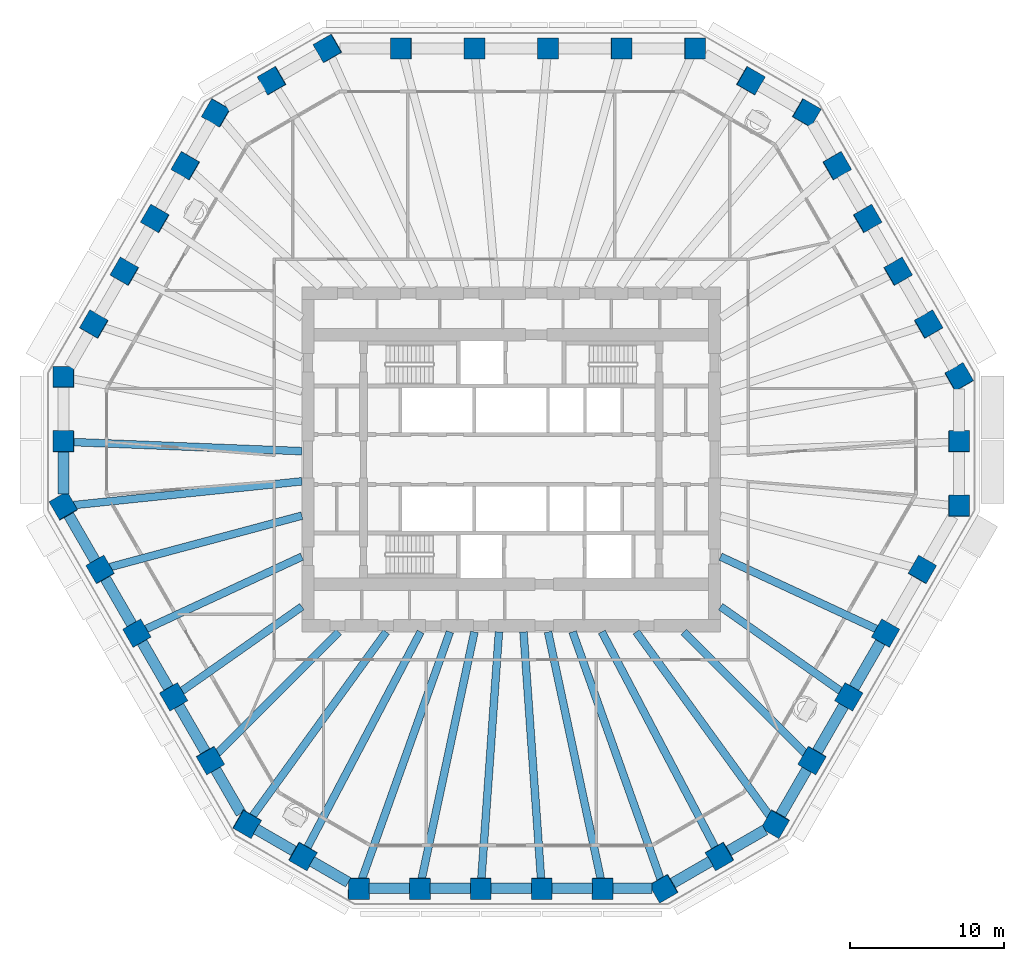
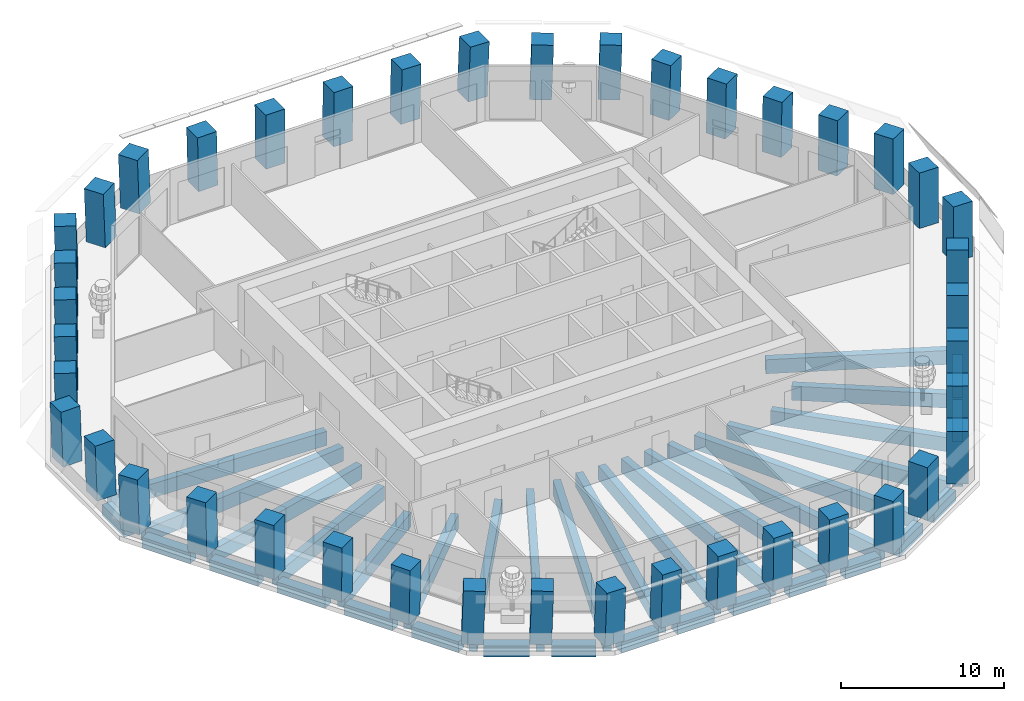
# One storey, part 1 of 13: 42 columns, 37 beams.
"""IFC4 building model written with IfcOpenShell, lengths in metres."""

from ifc_helpers import new_model, si_unit, direction, frame, origin, origin_2d, place, context, subcontext, project, spatial, rectangle, extrude, material, material_profile, profile_set, type_object, element, save


model = new_model("IFC4")

# Units and contexts
model_context = context("Model", 3, precision=1e-05, world=origin(), true_north=direction((0.0, 1.0)))
body_context = subcontext(model_context, "Body", "Model", "MODEL_VIEW")
ifc_project = project(units=[si_unit("LENGTHUNIT", "METRE"), si_unit("AREAUNIT", "SQUARE_METRE"), si_unit("VOLUMEUNIT", "CUBIC_METRE"), si_unit("PLANEANGLEUNIT", "RADIAN"), si_unit("MASSUNIT", "GRAM", prefix="KILO")], contexts=[model_context])

# Site, building, storey
site_placement = place(None, origin())
site = spatial("IfcSite", under=ifc_project, at=site_placement, CompositionType="ELEMENT")
building_placement = place(site_placement, origin())
building = spatial("IfcBuilding", under=site, at=building_placement, Name="Frailejon Research Tower", CompositionType="ELEMENT")
storey_placement = place(building_placement, frame((0.0, 0.0, 117.60009765625)))
storey = spatial("IfcBuildingStorey", under=building, at=storey_placement, Name="L25", CompositionType="ELEMENT", Elevation=117.60009765625)

# Columns
ifc_material_1 = material(Name="Concrete C70/85", Category="concrete")
ifc_material_profile_1 = material_profile(ifc_material_1, rectangle(XDim=1.35009765625, YDim=1.35009765625, at=origin_2d()), Name="Column 1350")
ifc_profile_set_1 = profile_set([ifc_material_profile_1], Name="Concrete C70/85")
column_type = type_object("IfcColumnType", Name="Column 1350", PredefinedType="COLUMN", material=ifc_profile_set_1)
for number, where, z_axis, x_axis, name in (
    (1, (29.08056640625, -3.031005859375, 0.0), (0.018133721723, 0.031387604711, 0.999342777233), (-2.2310109e-05, 0.999507138094, -0.031392362166), "Column C01"),
    (2, (29.08056640625, 1.156494140625, 0.0), (0.018133721723, 0.031387604711, 0.999342777233), (-2.2310109e-05, 0.999507138094, -0.031392362166), "Column C02"),
    (3, (29.08056640625, 5.343994140625, 0.0), (0.018133721723, 0.031387604711, 0.999342777233), (-0.50020910326, 0.865715159182, -0.018113977445), "Column C03"),
):
    element("IfcColumn", number, at=place(storey_placement, frame(where, z_axis=z_axis, x_axis=x_axis)), inside=storey, type_object=column_type, Name=name, PredefinedType="COLUMN", context=body_context, shape_type="SweptSolid", body=[
        extrude(rectangle(XDim=1.35009765625, YDim=1.35009765625, at=origin_2d()), origin(), (0.0, 0.0, 1.0), 4.052490234375),
    ])
column_1_placement = place(storey_placement, frame((27.09814453125, 8.777587890625, 0.0), z_axis=(0.021750699922, 0.025124769716, 0.999447673968), x_axis=(-0.500502376835, 0.865666925982, -0.010869408614)))
element("IfcColumn", 4, at=column_1_placement, inside=storey, type_object=column_type, Name="Column C04", PredefinedType="COLUMN", context=body_context, shape_type="SweptSolid", body=[
    extrude(rectangle(XDim=1.35009765625, YDim=1.35009765625, at=origin_2d()), origin(), (0.0, 0.0, 1.0), 4.052001953125),
])
for number, where, z_axis, x_axis, name in (
    (5, (25.115478515625, 12.21142578125, 0.0), (0.025427325519, 0.018859603999, 0.999498757605), (-0.499709920211, 0.866185204366, -0.003631443371), "Column C05"),
    (6, (23.13330078125, 15.64501953125, 0.0), (0.028982383936, 0.01259317722, 0.99950059195), (-0.500965863044, 0.865459464324, 0.003622109482), "Column C06"),
):
    element("IfcColumn", number, at=place(storey_placement, frame(where, z_axis=z_axis, x_axis=x_axis)), inside=storey, type_object=column_type, Name=name, PredefinedType="COLUMN", context=body_context, shape_type="SweptSolid", body=[
        extrude(rectangle(XDim=1.35009765625, YDim=1.35009765625, at=origin_2d()), origin(), (0.0, 0.0, 1.0), 4.0517578125),
    ])
column_2_placement = place(storey_placement, frame((21.15087890625, 19.078857421875, 0.0), z_axis=(0.032656153574, 0.006266125409, 0.99944700275), x_axis=(-0.499519802521, 0.866234012369, 0.010890486839)))
element("IfcColumn", 7, at=column_2_placement, inside=storey, type_object=column_type, Name="Column C07", PredefinedType="COLUMN", context=body_context, shape_type="SweptSolid", body=[
    extrude(rectangle(XDim=1.35009765625, YDim=1.35009765625, at=origin_2d()), origin(), (0.0, 0.0, 1.0), 4.052001953125),
])
for number, where, z_axis, x_axis, name in (
    (8, (19.168212890625, 22.512451171875, 0.0), (0.036267419622, 0.0, 0.999342120734), (-0.865313477853, 0.500246354177, 0.031403346616), "Column C08"),
    (9, (15.541748046875, 24.606201171875, 0.0), (0.036267419622, 0.0, 0.999342120734), (-0.865313477853, 0.500246354177, 0.031403346616), "Column C09"),
    (10, (11.915283203125, 26.699951171875, 0.0), (0.036267419622, 0.0, 0.999342120734), (-0.999342120734, 0.0, 0.036267419622), "Column C10"),
):
    element("IfcColumn", number, at=place(storey_placement, frame(where, z_axis=z_axis, x_axis=x_axis)), inside=storey, type_object=column_type, Name=name, PredefinedType="COLUMN", context=body_context, shape_type="SweptSolid", body=[
        extrude(rectangle(XDim=1.35009765625, YDim=1.35009765625, at=origin_2d()), origin(), (0.0, 0.0, 1.0), 4.052490234375),
    ])
column_3_placement = place(storey_placement, frame((7.149169921875, 26.699951171875, 0.0), z_axis=(0.021757568282, 0.0, 0.999763276092), x_axis=(-0.999763276092, 0.0, 0.021757568282)))
element("IfcColumn", 11, at=column_3_placement, inside=storey, type_object=column_type, Name="Column C11", PredefinedType="COLUMN", context=body_context, shape_type="SweptSolid", body=[
    extrude(rectangle(XDim=1.35009765625, YDim=1.35009765625, at=origin_2d()), origin(), (0.0, 0.0, 1.0), 4.05078125),
])
for number, where, z_axis, x_axis, name in (
    (12, (2.383056640625, 26.699951171875, 0.0), (0.007294235652, 0.0, 0.999973396709), (-0.999973396709, 0.0, 0.007294235652), "Column C12"),
    (13, (-2.383056640625, 26.699951171875, 0.0), (-0.007294235652, 0.0, 0.999973396709), (-0.999973396709, 0.0, -0.007294235652), "Column C13"),
):
    element("IfcColumn", number, at=place(storey_placement, frame(where, z_axis=z_axis, x_axis=x_axis)), inside=storey, type_object=column_type, Name=name, PredefinedType="COLUMN", context=body_context, shape_type="SweptSolid", body=[
        extrude(rectangle(XDim=1.35009765625, YDim=1.35009765625, at=origin_2d()), origin(), (0.0, 0.0, 1.0), 4.0498046875),
    ])
column_4_placement = place(storey_placement, frame((-7.149169921875, 26.699951171875, 0.0), z_axis=(-0.021757568282, 0.0, 0.999763276092), x_axis=(-0.999763276092, 0.0, -0.021757568282)))
element("IfcColumn", 14, at=column_4_placement, inside=storey, type_object=column_type, Name="Column C14", PredefinedType="COLUMN", context=body_context, shape_type="SweptSolid", body=[
    extrude(rectangle(XDim=1.35009765625, YDim=1.35009765625, at=origin_2d()), origin(), (0.0, 0.0, 1.0), 4.05078125),
])
for number, where, z_axis, x_axis, name in (
    (15, (-11.915283203125, 26.699951171875, 0.0), (-0.036267419622, 0.0, 0.999342120734), (-0.865313477853, -0.500246354177, -0.031403346616), "Column C15"),
    (16, (-15.541748046875, 24.606201171875, 0.0), (-0.036267419622, 0.0, 0.999342120734), (-0.865313477853, -0.500246354177, -0.031403346616), "Column C16"),
    (17, (-19.168212890625, 22.512451171875, 0.0), (-0.036267419622, 0.0, 0.999342120734), (-0.499424827821, -0.866167613071, -0.018124773713), "Column C17"),
):
    element("IfcColumn", number, at=place(storey_placement, frame(where, z_axis=z_axis, x_axis=x_axis)), inside=storey, type_object=column_type, Name=name, PredefinedType="COLUMN", context=body_context, shape_type="SweptSolid", body=[
        extrude(rectangle(XDim=1.35009765625, YDim=1.35009765625, at=origin_2d()), origin(), (0.0, 0.0, 1.0), 4.052490234375),
    ])
column_5_placement = place(storey_placement, frame((-21.15087890625, 19.078857421875, 0.0), z_axis=(-0.032656153574, 0.006266125409, 0.99944700275), x_axis=(-0.499519802521, -0.866234012369, -0.010890486839)))
element("IfcColumn", 18, at=column_5_placement, inside=storey, type_object=column_type, Name="Column C18", PredefinedType="COLUMN", context=body_context, shape_type="SweptSolid", body=[
    extrude(rectangle(XDim=1.35009765625, YDim=1.35009765625, at=origin_2d()), origin(), (0.0, 0.0, 1.0), 4.052001953125),
])
for number, where, z_axis, x_axis, name in (
    (19, (-23.13330078125, 15.64501953125, 0.0), (-0.028982383936, 0.01259317722, 0.99950059195), (-0.500965863044, -0.865459464324, -0.003622109482), "Column C19"),
    (20, (-25.115478515625, 12.21142578125, 0.0), (-0.025427325519, 0.018859603999, 0.999498757605), (-0.499709920211, -0.866185204366, 0.003631443371), "Column C20"),
):
    element("IfcColumn", number, at=place(storey_placement, frame(where, z_axis=z_axis, x_axis=x_axis)), inside=storey, type_object=column_type, Name=name, PredefinedType="COLUMN", context=body_context, shape_type="SweptSolid", body=[
        extrude(rectangle(XDim=1.35009765625, YDim=1.35009765625, at=origin_2d()), origin(), (0.0, 0.0, 1.0), 4.0517578125),
    ])
column_6_placement = place(storey_placement, frame((-27.09814453125, 8.777587890625, 0.0), z_axis=(-0.021750699922, 0.025124769716, 0.999447673968), x_axis=(-0.500502376835, -0.865666925982, 0.010869408614)))
element("IfcColumn", 21, at=column_6_placement, inside=storey, type_object=column_type, Name="Column C21", PredefinedType="COLUMN", context=body_context, shape_type="SweptSolid", body=[
    extrude(rectangle(XDim=1.35009765625, YDim=1.35009765625, at=origin_2d()), origin(), (0.0, 0.0, 1.0), 4.052001953125),
])
for number, where, z_axis, x_axis, name in (
    (22, (-29.08056640625, 5.343994140625, 0.0), (-0.018133721723, 0.031387604711, 0.999342777233), (-0.000336417711, -0.999507260604, 0.031386666328), "Column C22"),
    (23, (-29.08056640625, 1.156494140625, 0.0), (-0.018133721723, 0.031387604711, 0.999342777233), (-2.2310109e-05, -0.999507138094, 0.031392362166), "Column C23"),
    (24, (-29.08056640625, -3.031005859375, 0.0), (-0.018133721723, 0.031387604711, 0.999342777233), (0.500144780873, -0.865182746395, 0.036249324205), "Column C24"),
):
    element("IfcColumn", number, at=place(storey_placement, frame(where, z_axis=z_axis, x_axis=x_axis)), inside=storey, type_object=column_type, Name=name, PredefinedType="COLUMN", context=body_context, shape_type="SweptSolid", body=[
        extrude(rectangle(XDim=1.35009765625, YDim=1.35009765625, at=origin_2d()), origin(), (0.0, 0.0, 1.0), 4.052490234375),
    ])
column_7_placement = place(storey_placement, frame((-26.697509765625, -7.15869140625, 0.0), z_axis=(-0.010908911174, 0.018864581201, 0.999762533421), x_axis=(0.500186584964, -0.865643404359, 0.021791666111)))
element("IfcColumn", 25, at=column_7_placement, inside=storey, type_object=column_type, Name="Column C25", PredefinedType="COLUMN", context=body_context, shape_type="SweptSolid", body=[
    extrude(rectangle(XDim=1.35009765625, YDim=1.35009765625, at=origin_2d()), origin(), (0.0, 0.0, 1.0), 4.05078125),
])
for number, where, z_axis, x_axis, name in (
    (26, (-24.314453125, -11.2861328125, 0.0), (-0.003616977835, 0.006269428248, 0.999973805527), (0.498177151135, -0.867045061108, 0.007237962107), "Column C26"),
    (27, (-21.931396484375, -15.413818359375, 0.0), (0.003616977835, -0.006269428248, 0.999973805527), (0.498177151135, -0.867045061108, -0.007237962107), "Column C27"),
):
    element("IfcColumn", number, at=place(storey_placement, frame(where, z_axis=z_axis, x_axis=x_axis)), inside=storey, type_object=column_type, Name=name, PredefinedType="COLUMN", context=body_context, shape_type="SweptSolid", body=[
        extrude(rectangle(XDim=1.35009765625, YDim=1.35009765625, at=origin_2d()), origin(), (0.0, 0.0, 1.0), 4.0498046875),
    ])
column_8_placement = place(storey_placement, frame((-19.54833984375, -19.54150390625, 0.0), z_axis=(0.010908923557, -0.018804332319, 0.99976366831), x_axis=(0.501388059867, -0.86494936612, -0.021739537079)))
element("IfcColumn", 28, at=column_8_placement, inside=storey, type_object=column_type, Name="Column C28", PredefinedType="COLUMN", context=body_context, shape_type="SweptSolid", body=[
    extrude(rectangle(XDim=1.35009765625, YDim=1.35009765625, at=origin_2d()), origin(), (0.0, 0.0, 1.0), 4.05078125),
])
for number, where, z_axis, x_axis, name in (
    (29, (-17.165283203125, -23.6689453125, 0.0), (0.018133721723, -0.031387604711, 0.999342777233), (0.866156161144, -0.49878714117, -0.031382994035), "Column C29"),
    (30, (-13.538818359375, -25.7626953125, 0.0), (0.018193946737, -0.031387570364, 0.999341683674), (0.86687197838, -0.497540392887, -0.031409083805), "Column C30"),
    (31, (-9.912109375, -27.8564453125, 0.0), (0.018133687401, -0.03144779011, 0.999340885723), (0.999835229363, -0.000256112694, -0.018150717076), "Column C31"),
):
    element("IfcColumn", number, at=place(storey_placement, frame(where, z_axis=z_axis, x_axis=x_axis)), inside=storey, type_object=column_type, Name=name, PredefinedType="COLUMN", context=body_context, shape_type="SweptSolid", body=[
        extrude(rectangle(XDim=1.35009765625, YDim=1.35009765625, at=origin_2d()), origin(), (0.0, 0.0, 1.0), 4.052490234375),
    ])
column_9_placement = place(storey_placement, frame((-5.947265625, -27.8564453125, 0.0), z_axis=(0.01084521107, -0.031451112103, 0.999446451264), x_axis=(0.999940265491, -0.001017281535, -0.010882581912)))
element("IfcColumn", 32, at=column_9_placement, inside=storey, type_object=column_type, Name="Column C32", PredefinedType="COLUMN", context=body_context, shape_type="SweptSolid", body=[
    extrude(rectangle(XDim=1.35009765625, YDim=1.35009765625, at=origin_2d()), origin(), (0.0, 0.0, 1.0), 4.052001953125),
])
for number, where, z_axis, x_axis, name in (
    (33, (-1.982421875, -27.8564453125, 0.0), (0.003615259349, -0.031452756336, 0.999498701359), (0.999993464625, 8.9080718e-05, -0.003614245704), "Column C33"),
    (34, (1.982421875, -27.8564453125, 0.0), (-0.003615259349, -0.031452756336, 0.999498701359), (0.999993464625, -8.9080718e-05, 0.003614245704), "Column C34"),
):
    element("IfcColumn", number, at=place(storey_placement, frame(where, z_axis=z_axis, x_axis=x_axis)), inside=storey, type_object=column_type, Name=name, PredefinedType="COLUMN", context=body_context, shape_type="SweptSolid", body=[
        extrude(rectangle(XDim=1.35009765625, YDim=1.35009765625, at=origin_2d()), origin(), (0.0, 0.0, 1.0), 4.0517578125),
    ])
column_10_placement = place(storey_placement, frame((5.947265625, -27.8564453125, 0.0), z_axis=(-0.01084521107, -0.031451112103, 0.999446451264), x_axis=(0.999940265491, 0.001017281535, 0.010882581912)))
element("IfcColumn", 35, at=column_10_placement, inside=storey, type_object=column_type, Name="Column C35", PredefinedType="COLUMN", context=body_context, shape_type="SweptSolid", body=[
    extrude(rectangle(XDim=1.35009765625, YDim=1.35009765625, at=origin_2d()), origin(), (0.0, 0.0, 1.0), 4.052001953125),
])
for number, where, z_axis, x_axis, name in (
    (36, (9.912109375, -27.8564453125, 0.0), (-0.018133687401, -0.03144779011, 0.999340885723), (0.865469336314, 0.499974481658, 0.03143796417), "Column C36"),
    (37, (13.538818359375, -25.7626953125, 0.0), (-0.018193946737, -0.031387570364, 0.999341683674), (0.86687197838, 0.497540392887, 0.031409083805), "Column C37"),
    (38, (17.165283203125, -23.6689453125, 0.0), (-0.018133721723, -0.031387604711, 0.999342777233), (0.500144780873, 0.865182746395, 0.036249324205), "Column C38"),
):
    element("IfcColumn", number, at=place(storey_placement, frame(where, z_axis=z_axis, x_axis=x_axis)), inside=storey, type_object=column_type, Name=name, PredefinedType="COLUMN", context=body_context, shape_type="SweptSolid", body=[
        extrude(rectangle(XDim=1.35009765625, YDim=1.35009765625, at=origin_2d()), origin(), (0.0, 0.0, 1.0), 4.052490234375),
    ])
column_11_placement = place(storey_placement, frame((19.54833984375, -19.54150390625, 0.0), z_axis=(-0.010908923557, -0.018804332319, 0.99976366831), x_axis=(0.501388059867, 0.86494936612, 0.021739537079)))
element("IfcColumn", 39, at=column_11_placement, inside=storey, type_object=column_type, Name="Column C39", PredefinedType="COLUMN", context=body_context, shape_type="SweptSolid", body=[
    extrude(rectangle(XDim=1.35009765625, YDim=1.35009765625, at=origin_2d()), origin(), (0.0, 0.0, 1.0), 4.05078125),
])
for number, where, z_axis, x_axis, name in (
    (40, (21.931396484375, -15.413818359375, 0.0), (-0.003616977835, -0.006269428248, 0.999973805527), (0.498177151135, 0.867045061108, 0.007237962107), "Column C40"),
    (41, (24.314453125, -11.2861328125, 0.0), (0.003616977835, 0.006269428248, 0.999973805527), (0.498177151135, 0.867045061108, -0.007237962107), "Column C41"),
):
    element("IfcColumn", number, at=place(storey_placement, frame(where, z_axis=z_axis, x_axis=x_axis)), inside=storey, type_object=column_type, Name=name, PredefinedType="COLUMN", context=body_context, shape_type="SweptSolid", body=[
        extrude(rectangle(XDim=1.35009765625, YDim=1.35009765625, at=origin_2d()), origin(), (0.0, 0.0, 1.0), 4.0498046875),
    ])
column_12_placement = place(storey_placement, frame((26.697509765625, -7.15869140625, 0.0), z_axis=(0.010908911174, 0.018864581201, 0.999762533421), x_axis=(0.500186584964, 0.865643404359, -0.021791666111)))
element("IfcColumn", 42, at=column_12_placement, inside=storey, type_object=column_type, Name="Column C42", PredefinedType="COLUMN", context=body_context, shape_type="SweptSolid", body=[
    extrude(rectangle(XDim=1.35009765625, YDim=1.35009765625, at=origin_2d()), origin(), (0.0, 0.0, 1.0), 4.05078125),
])

# Beams
ifc_material_2 = material(Name="Concrete C60/75", Category="concrete")
ifc_material_profile_2 = material_profile(ifc_material_2, rectangle(XDim=0.5, YDim=1.050048828125, at=origin_2d()), Name="Girder 500x1050")
ifc_profile_set_2 = profile_set([ifc_material_profile_2], Name="Concrete C60/75")
beam_type_1 = type_object("IfcBeamType", Name="Girder 500x1050", PredefinedType="BEAM", material=ifc_profile_set_2)
beam_1_placement = place(storey_placement, frame((-28.555419921875, 1.135498046875, -0.8251953125), z_axis=(0.99921088157, -0.039719191221, 0.0), x_axis=(0.039719191221, 0.99921088157, 0.0)))
element("IfcBeam", 43, at=beam_1_placement, inside=storey, type_object=beam_type_1, Name="Girder 500x1050", PredefinedType="BEAM", context=body_context, shape_type="SweptSolid", body=[
    extrude(rectangle(XDim=0.5, YDim=1.050048828125, at=origin_2d()), origin(), (0.0, 0.0, 1.0), 14.967041015625),
])
beam_2_placement = place(storey_placement, frame((-28.494384765625, -2.969970703125, -0.8251953125), z_axis=(0.994611511588, 0.103672276988, 0.0), x_axis=(-0.103672276988, 0.994611511588, 0.0)))
element("IfcBeam", 44, at=beam_2_placement, inside=storey, type_object=beam_type_1, Name="Girder 500x1050", PredefinedType="BEAM", context=body_context, shape_type="SweptSolid", body=[
    extrude(rectangle(XDim=0.5, YDim=1.050048828125, at=origin_2d()), origin(), (0.0, 0.0, 1.0), 14.97509765625),
])
beam_3_placement = place(storey_placement, frame((-26.16748046875, -7.0166015625, -0.8251953125), z_axis=(0.965878678888, 0.258994937538, 0.0), x_axis=(-0.258994937538, 0.965878678888, 0.0)))
element("IfcBeam", 45, at=beam_3_placement, inside=storey, type_object=beam_type_1, Name="Girder 500x1050", PredefinedType="BEAM", context=body_context, shape_type="SweptSolid", body=[
    extrude(rectangle(XDim=0.5, YDim=1.050048828125, at=origin_2d()), origin(), (0.0, 0.0, 1.0), 13.01123046875),
])
beam_4_placement = place(storey_placement, frame((-23.835693359375, -11.06396484375, -0.8251953125), z_axis=(0.907043494284, 0.421036933626, 0.0), x_axis=(-0.421036933626, 0.907043494284, 0.0)))
element("IfcBeam", 46, at=beam_4_placement, inside=storey, type_object=beam_type_1, Name="Girder 500x1050", PredefinedType="BEAM", context=body_context, shape_type="SweptSolid", body=[
    extrude(rectangle(XDim=0.5, YDim=1.050048828125, at=origin_2d()), origin(), (0.0, 0.0, 1.0), 11.28466796875),
])
beam_5_placement = place(storey_placement, frame((-21.499755859375, -15.1103515625, -0.8251953125), z_axis=(0.818148295743, 0.575007274886, 0.0), x_axis=(-0.575007274886, 0.818148295743, 0.0)))
element("IfcBeam", 47, at=beam_5_placement, inside=storey, type_object=beam_type_1, Name="Girder 500x1050", PredefinedType="BEAM", context=body_context, shape_type="SweptSolid", body=[
    extrude(rectangle(XDim=0.5, YDim=1.050048828125, at=origin_2d()), origin(), (0.0, 0.0, 1.0), 9.655517578125),
])
beam_6_placement = place(storey_placement, frame((-19.16015625, -19.1533203125, -0.8251953125), z_axis=(0.707226132341, 0.706987409883, 0.0), x_axis=(-0.706987409883, 0.707226132341, 0.0)))
element("IfcBeam", 48, at=beam_6_placement, inside=storey, type_object=beam_type_1, Name="Girder 500x1050", PredefinedType="BEAM", context=body_context, shape_type="SweptSolid", body=[
    extrude(rectangle(XDim=0.5, YDim=1.050048828125, at=origin_2d()), origin(), (0.0, 0.0, 1.0), 11.249755859375),
])
beam_7_placement = place(storey_placement, frame((-16.854736328125, -23.240966796875, -0.8251953125), z_axis=(0.587075154168, 0.809532435026, 0.0), x_axis=(-0.809532435026, 0.587075154168, 0.0)))
element("IfcBeam", 49, at=beam_7_placement, inside=storey, type_object=beam_type_1, Name="Girder 500x1050", PredefinedType="BEAM", context=body_context, shape_type="SweptSolid", body=[
    extrude(rectangle(XDim=0.5, YDim=1.050048828125, at=origin_2d()), origin(), (0.0, 0.0, 1.0), 14.8740234375),
])
beam_8_placement = place(storey_placement, frame((-13.294189453125, -25.297607421875, -0.8251953125), z_axis=(0.46518717928, 0.88521234076, 0.0), x_axis=(-0.88521234076, 0.46518717928, 0.0)))
element("IfcBeam", 50, at=beam_8_placement, inside=storey, type_object=beam_type_1, Name="Girder 500x1050", PredefinedType="BEAM", context=body_context, shape_type="SweptSolid", body=[
    extrude(rectangle(XDim=0.5, YDim=1.050048828125, at=origin_2d()), origin(), (0.0, 0.0, 1.0), 15.92578125),
])
beam_9_placement = place(storey_placement, frame((-9.722412109375, -27.32275390625, -0.8251953125), z_axis=(0.335243540675, 0.94213150273, 0.0), x_axis=(-0.94213150273, 0.335243540675, 0.0)))
element("IfcBeam", 51, at=beam_9_placement, inside=storey, type_object=beam_type_1, Name="Girder 500x1050", PredefinedType="BEAM", context=body_context, shape_type="SweptSolid", body=[
    extrude(rectangle(XDim=0.5, YDim=1.050048828125, at=origin_2d()), origin(), (0.0, 0.0, 1.0), 17.113037109375),
])
beam_10_placement = place(storey_placement, frame((-5.83447265625, -27.328125, -0.8251953125), z_axis=(0.208794034557, 0.977959636761, 0.0), x_axis=(-0.977959636761, 0.208794034557, 0.0)))
element("IfcBeam", 52, at=beam_10_placement, inside=storey, type_object=beam_type_1, Name="Girder 500x1050", PredefinedType="BEAM", context=body_context, shape_type="SweptSolid", body=[
    extrude(rectangle(XDim=0.5, YDim=1.050048828125, at=origin_2d()), origin(), (0.0, 0.0, 1.0), 16.49169921875),
])
for number, where, z_axis, x_axis, name in (
    (53, (-1.945068359375, -27.3310546875, -0.8251953125), (0.070984198138, 0.997477440153, 0.0), (-0.997477440153, 0.070984198138, 0.0), "Girder 500x1050"),
    (54, (1.945068359375, -27.3310546875, -0.8251953125), (-0.070984198138, 0.997477440153, 0.0), (-0.997477440153, -0.070984198138, 0.0), "Girder 500x1050"),
):
    element("IfcBeam", number, at=place(storey_placement, frame(where, z_axis=z_axis, x_axis=x_axis)), inside=storey, type_object=beam_type_1, Name=name, PredefinedType="BEAM", context=body_context, shape_type="SweptSolid", body=[
        extrude(rectangle(XDim=0.5, YDim=1.050048828125, at=origin_2d()), origin(), (0.0, 0.0, 1.0), 16.171875),
    ])
beam_11_placement = place(storey_placement, frame((5.83447265625, -27.328125, -0.8251953125), z_axis=(-0.208794034557, 0.977959636761, 0.0), x_axis=(-0.977959636761, -0.208794034557, 0.0)))
element("IfcBeam", 55, at=beam_11_placement, inside=storey, type_object=beam_type_1, Name="Girder 500x1050", PredefinedType="BEAM", context=body_context, shape_type="SweptSolid", body=[
    extrude(rectangle(XDim=0.5, YDim=1.050048828125, at=origin_2d()), origin(), (0.0, 0.0, 1.0), 16.49169921875),
])
beam_12_placement = place(storey_placement, frame((9.732421875, -27.351318359375, -0.8251953125), z_axis=(-0.335235542759, 0.942134348631, 0.0), x_axis=(-0.942134348631, -0.335235542759, 0.0)))
element("IfcBeam", 56, at=beam_12_placement, inside=storey, type_object=beam_type_1, Name="Girder 500x1050", PredefinedType="BEAM", context=body_context, shape_type="SweptSolid", body=[
    extrude(rectangle(XDim=0.5, YDim=1.050048828125, at=origin_2d()), origin(), (0.0, 0.0, 1.0), 17.143310546875),
])
beam_13_placement = place(storey_placement, frame((13.294189453125, -25.297607421875, -0.8251953125), z_axis=(-0.46518717928, 0.88521234076, 0.0), x_axis=(-0.88521234076, -0.46518717928, 0.0)))
element("IfcBeam", 57, at=beam_13_placement, inside=storey, type_object=beam_type_1, Name="Girder 500x1050", PredefinedType="BEAM", context=body_context, shape_type="SweptSolid", body=[
    extrude(rectangle(XDim=0.5, YDim=1.050048828125, at=origin_2d()), origin(), (0.0, 0.0, 1.0), 15.92578125),
])
beam_14_placement = place(storey_placement, frame((16.8193359375, -23.19189453125, -0.8251953125), z_axis=(-0.587083424784, 0.809526437088, 0.0), x_axis=(-0.809526437088, -0.587083424784, 0.0)))
element("IfcBeam", 58, at=beam_14_placement, inside=storey, type_object=beam_type_1, Name="Girder 500x1050", PredefinedType="BEAM", context=body_context, shape_type="SweptSolid", body=[
    extrude(rectangle(XDim=0.5, YDim=1.050048828125, at=origin_2d()), origin(), (0.0, 0.0, 1.0), 14.8134765625),
])
beam_15_placement = place(storey_placement, frame((19.16015625, -19.1533203125, -0.8251953125), z_axis=(-0.707226132341, 0.706987409883, 0.0), x_axis=(-0.706987409883, -0.707226132341, 0.0)))
element("IfcBeam", 59, at=beam_15_placement, inside=storey, type_object=beam_type_1, Name="Girder 500x1050", PredefinedType="BEAM", context=body_context, shape_type="SweptSolid", body=[
    extrude(rectangle(XDim=0.5, YDim=1.050048828125, at=origin_2d()), origin(), (0.0, 0.0, 1.0), 11.249755859375),
])
beam_16_placement = place(storey_placement, frame((21.499755859375, -15.1103515625, -0.8251953125), z_axis=(-0.818148295743, 0.575007274886, 0.0), x_axis=(-0.575007274886, -0.818148295743, 0.0)))
element("IfcBeam", 60, at=beam_16_placement, inside=storey, type_object=beam_type_1, Name="Girder 500x1050", PredefinedType="BEAM", context=body_context, shape_type="SweptSolid", body=[
    extrude(rectangle(XDim=0.5, YDim=1.050048828125, at=origin_2d()), origin(), (0.0, 0.0, 1.0), 9.655517578125),
])
beam_17_placement = place(storey_placement, frame((23.835693359375, -11.06396484375, -0.8251953125), z_axis=(-0.907043494284, 0.421036933626, 0.0), x_axis=(-0.421036933626, -0.907043494284, 0.0)))
element("IfcBeam", 61, at=beam_17_placement, inside=storey, type_object=beam_type_1, Name="Girder 500x1050", PredefinedType="BEAM", context=body_context, shape_type="SweptSolid", body=[
    extrude(rectangle(XDim=0.5, YDim=1.050048828125, at=origin_2d()), origin(), (0.0, 0.0, 1.0), 11.28466796875),
])
ifc_material_3 = material(Name="Concrete C60/75", Category="concrete")
ifc_material_profile_3 = material_profile(ifc_material_3, rectangle(XDim=0.699951171875, YDim=0.800048828125, at=origin_2d()), Name="Spandrel 700x800")
ifc_profile_set_3 = profile_set([ifc_material_profile_3], Name="Concrete C60/75")
beam_type_2 = type_object("IfcBeamType", Name="Spandrel 700x800", PredefinedType="BEAM", material=ifc_profile_set_3)
beam_18_placement = place(storey_placement, frame((-29.08056640625, 0.4814453125, -0.75), z_axis=(0.0, -1.0, 0.0), x_axis=(1.0, 0.0, 0.0)))
element("IfcBeam", 62, at=beam_18_placement, inside=storey, type_object=beam_type_2, Name="Spandrel 700x800", PredefinedType="BEAM", context=body_context, shape_type="SweptSolid", body=[
    extrude(rectangle(XDim=0.699951171875, YDim=0.800048828125, at=origin_2d()), origin(), (0.0, 0.0, 1.0), 2.733154296875),
])
beam_19_placement = place(storey_placement, frame((-28.742919921875, -3.61572265625, -0.75), z_axis=(0.500013228649, -0.866017766086, 0.0), x_axis=(0.866017766086, 0.500013228649, 0.0)))
element("IfcBeam", 63, at=beam_19_placement, inside=storey, type_object=beam_type_2, Name="Spandrel 700x800", PredefinedType="BEAM", context=body_context, shape_type="SweptSolid", body=[
    extrude(rectangle(XDim=0.699951171875, YDim=0.800048828125, at=origin_2d()), origin(), (0.0, 0.0, 1.0), 3.416015625),
])
beam_20_placement = place(storey_placement, frame((-26.360107421875, -7.7431640625, -0.75), z_axis=(0.50003588027, -0.86600468731, 0.0), x_axis=(0.86600468731, 0.50003588027, 0.0)))
element("IfcBeam", 64, at=beam_20_placement, inside=storey, type_object=beam_type_2, Name="Spandrel 700x800", PredefinedType="BEAM", context=body_context, shape_type="SweptSolid", body=[
    extrude(rectangle(XDim=0.699951171875, YDim=0.800048828125, at=origin_2d()), origin(), (0.0, 0.0, 1.0), 3.416259765625),
])
beam_21_placement = place(storey_placement, frame((-23.976806640625, -11.870849609375, -0.75), z_axis=(0.500013228649, -0.866017766086, 0.0), x_axis=(0.866017766086, 0.500013228649, 0.0)))
element("IfcBeam", 65, at=beam_21_placement, inside=storey, type_object=beam_type_2, Name="Spandrel 700x800", PredefinedType="BEAM", context=body_context, shape_type="SweptSolid", body=[
    extrude(rectangle(XDim=0.699951171875, YDim=0.800048828125, at=origin_2d()), origin(), (0.0, 0.0, 1.0), 3.416015625),
])
beam_22_placement = place(storey_placement, frame((-21.593994140625, -15.998291015625, -0.75), z_axis=(0.50003588027, -0.86600468731, 0.0), x_axis=(0.86600468731, 0.50003588027, 0.0)))
element("IfcBeam", 66, at=beam_22_placement, inside=storey, type_object=beam_type_2, Name="Spandrel 700x800", PredefinedType="BEAM", context=body_context, shape_type="SweptSolid", body=[
    extrude(rectangle(XDim=0.699951171875, YDim=0.800048828125, at=origin_2d()), origin(), (0.0, 0.0, 1.0), 3.416259765625),
])
beam_23_placement = place(storey_placement, frame((-19.210693359375, -20.1259765625, -0.75), z_axis=(0.499992612217, -0.866029669081, 0.0), x_axis=(0.866029669081, 0.499992612217, 0.0)))
element("IfcBeam", 67, at=beam_23_placement, inside=storey, type_object=beam_type_2, Name="Spandrel 700x800", PredefinedType="BEAM", context=body_context, shape_type="SweptSolid", body=[
    extrude(rectangle(XDim=0.699951171875, YDim=0.800048828125, at=origin_2d()), origin(), (0.0, 0.0, 1.0), 3.3115234375),
])
beam_24_placement = place(storey_placement, frame((-16.58056640625, -24.00634765625, -0.75), z_axis=(0.865989280058, -0.500062562911, 0.0), x_axis=(0.500062562911, 0.865989280058, 0.0)))
element("IfcBeam", 68, at=beam_24_placement, inside=storey, type_object=beam_type_2, Name="Spandrel 700x800", PredefinedType="BEAM", context=body_context, shape_type="SweptSolid", body=[
    extrude(rectangle(XDim=0.699951171875, YDim=0.800048828125, at=origin_2d()), origin(), (0.0, 0.0, 1.0), 2.837646484375),
])
beam_25_placement = place(storey_placement, frame((-12.9541015625, -26.10009765625, -0.75), z_axis=(0.866002615699, -0.500039468044, 0.0), x_axis=(0.500039468044, 0.866002615699, 0.0)))
element("IfcBeam", 69, at=beam_25_placement, inside=storey, type_object=beam_type_2, Name="Spandrel 700x800", PredefinedType="BEAM", context=body_context, shape_type="SweptSolid", body=[
    extrude(rectangle(XDim=0.699951171875, YDim=0.800048828125, at=origin_2d()), origin(), (0.0, 0.0, 1.0), 2.733154296875),
])
beam_26_placement = place(storey_placement, frame((-9.2373046875, -27.8564453125, -0.75), z_axis=(1.0, 0.0, 0.0), x_axis=(0.0, 1.0, 0.0)))
element("IfcBeam", 70, at=beam_26_placement, inside=storey, type_object=beam_type_2, Name="Spandrel 700x800", PredefinedType="BEAM", context=body_context, shape_type="SweptSolid", body=[
    extrude(rectangle(XDim=0.699951171875, YDim=0.800048828125, at=origin_2d()), origin(), (0.0, 0.0, 1.0), 2.614990234375),
])
for number, where, z_axis, x_axis, name in (
    (71, (-5.272216796875, -27.8564453125, -0.75), (1.0, 0.0, 0.0), (0.0, 1.0, 0.0), "Spandrel 700x800"),
    (72, (-1.307373046875, -27.8564453125, -0.75), (1.0, 0.0, 0.0), (0.0, 1.0, 0.0), "Spandrel 700x800"),
    (73, (2.657470703125, -27.8564453125, -0.75), (1.0, 0.0, 0.0), (0.0, 1.0, 0.0), "Spandrel 700x800"),
):
    element("IfcBeam", number, at=place(storey_placement, frame(where, z_axis=z_axis, x_axis=x_axis)), inside=storey, type_object=beam_type_2, Name=name, PredefinedType="BEAM", context=body_context, shape_type="SweptSolid", body=[
        extrude(rectangle(XDim=0.699951171875, YDim=0.800048828125, at=origin_2d()), origin(), (0.0, 0.0, 1.0), 2.61474609375),
    ])
beam_27_placement = place(storey_placement, frame((6.622314453125, -27.8564453125, -0.75), z_axis=(1.0, 0.0, 0.0), x_axis=(0.0, 1.0, 0.0)))
element("IfcBeam", 74, at=beam_27_placement, inside=storey, type_object=beam_type_2, Name="Spandrel 700x800", PredefinedType="BEAM", context=body_context, shape_type="SweptSolid", body=[
    extrude(rectangle(XDim=0.699951171875, YDim=0.800048828125, at=origin_2d()), origin(), (0.0, 0.0, 1.0), 2.510498046875),
])
beam_28_placement = place(storey_placement, frame((10.496826171875, -27.51904296875, -0.75), z_axis=(0.865989280058, 0.500062562911, 0.0), x_axis=(-0.500062562911, 0.865989280058, 0.0)))
element("IfcBeam", 75, at=beam_28_placement, inside=storey, type_object=beam_type_2, Name="Spandrel 700x800", PredefinedType="BEAM", context=body_context, shape_type="SweptSolid", body=[
    extrude(rectangle(XDim=0.699951171875, YDim=0.800048828125, at=origin_2d()), origin(), (0.0, 0.0, 1.0), 2.837646484375),
])
beam_29_placement = place(storey_placement, frame((14.123291015625, -25.42529296875, -0.75), z_axis=(0.866002615699, 0.500039468044, 0.0), x_axis=(-0.500039468044, 0.866002615699, 0.0)))
element("IfcBeam", 76, at=beam_29_placement, inside=storey, type_object=beam_type_2, Name="Spandrel 700x800", PredefinedType="BEAM", context=body_context, shape_type="SweptSolid", body=[
    extrude(rectangle(XDim=0.699951171875, YDim=0.800048828125, at=origin_2d()), origin(), (0.0, 0.0, 1.0), 2.733154296875),
])
beam_30_placement = place(storey_placement, frame((17.502685546875, -23.084228515625, -0.75), z_axis=(0.500013228649, 0.866017766086, 0.0), x_axis=(-0.866017766086, 0.500013228649, 0.0)))
element("IfcBeam", 77, at=beam_30_placement, inside=storey, type_object=beam_type_2, Name="Spandrel 700x800", PredefinedType="BEAM", context=body_context, shape_type="SweptSolid", body=[
    extrude(rectangle(XDim=0.699951171875, YDim=0.800048828125, at=origin_2d()), origin(), (0.0, 0.0, 1.0), 3.416015625),
])
beam_31_placement = place(storey_placement, frame((19.8857421875, -18.956787109375, -0.75), z_axis=(0.50003588027, 0.86600468731, 0.0), x_axis=(-0.86600468731, 0.50003588027, 0.0)))
element("IfcBeam", 78, at=beam_31_placement, inside=storey, type_object=beam_type_2, Name="Spandrel 700x800", PredefinedType="BEAM", context=body_context, shape_type="SweptSolid", body=[
    extrude(rectangle(XDim=0.699951171875, YDim=0.800048828125, at=origin_2d()), origin(), (0.0, 0.0, 1.0), 3.416259765625),
])
beam_32_placement = place(storey_placement, frame((22.268798828125, -14.8291015625, -0.75), z_axis=(0.500013228649, 0.866017766086, 0.0), x_axis=(-0.866017766086, 0.500013228649, 0.0)))
element("IfcBeam", 79, at=beam_32_placement, inside=storey, type_object=beam_type_2, Name="Spandrel 700x800", PredefinedType="BEAM", context=body_context, shape_type="SweptSolid", body=[
    extrude(rectangle(XDim=0.699951171875, YDim=0.800048828125, at=origin_2d()), origin(), (0.0, 0.0, 1.0), 3.416015625),
])

save(model, "model.ifc")
